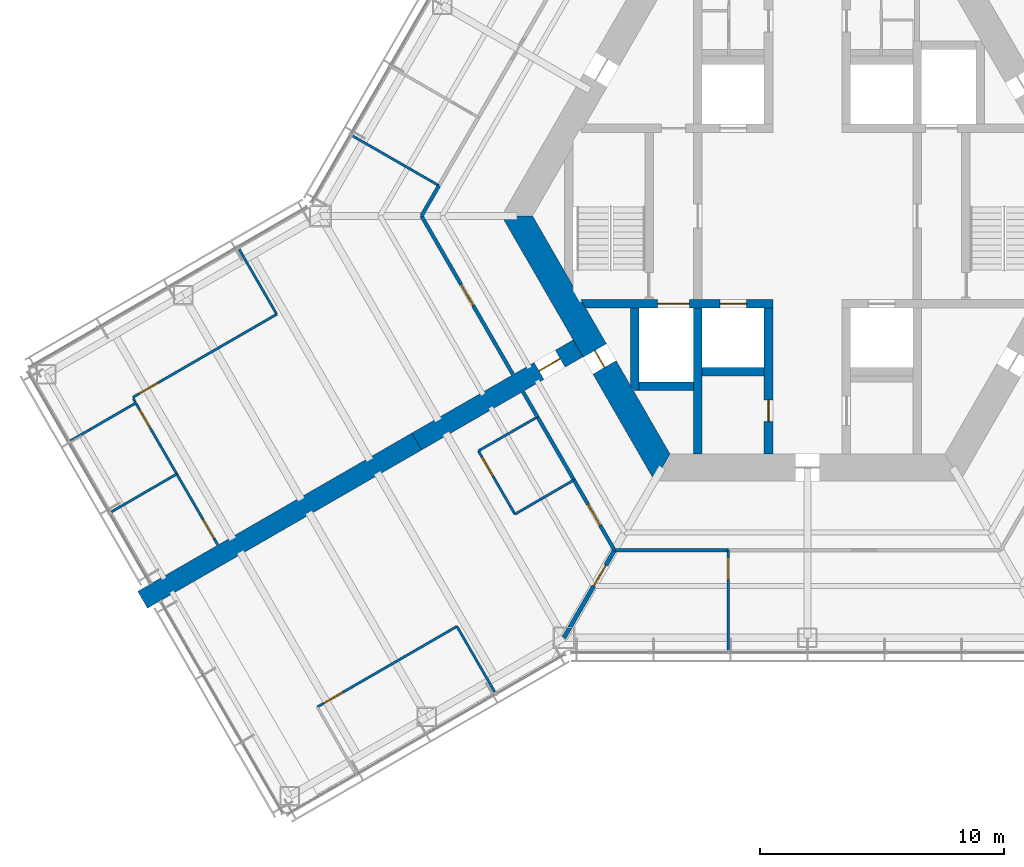
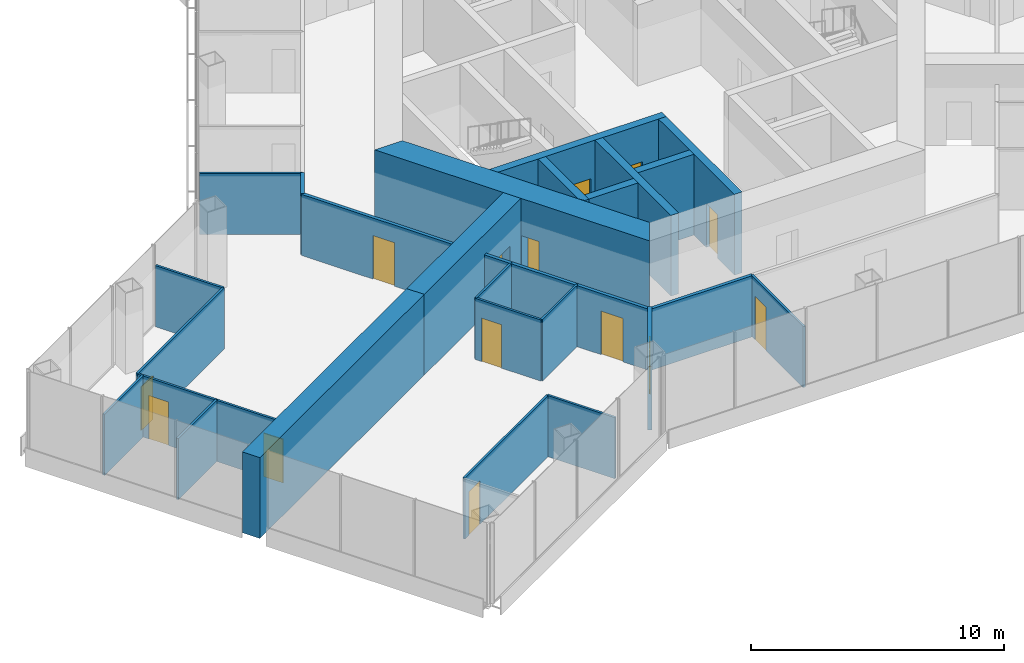
# One storey, part 12 of 19: 30 walls, 14 doors, 14 openings.
"""IFC4 building model written with IfcOpenShell, lengths in metres."""

from ifc_helpers import new_model, si_unit, direction, frame, frame_2d, origin, place, context, subcontext, project, spatial, polyline, rectangle, outline, extrude, material, layer, layer_set, type_object, element, fill, save


model = new_model("IFC4")

# Units and contexts
model_context = context("Model", 3, precision=1e-05, world=origin(), true_north=direction((0.0, 1.0)))
body_context = subcontext(model_context, "Body", "Model", "MODEL_VIEW")
ifc_project = project(units=[si_unit("LENGTHUNIT", "METRE"), si_unit("AREAUNIT", "SQUARE_METRE"), si_unit("VOLUMEUNIT", "CUBIC_METRE"), si_unit("PLANEANGLEUNIT", "RADIAN"), si_unit("MASSUNIT", "GRAM", prefix="KILO")], contexts=[model_context])

# Site, building, storey
site_placement = place(None, origin())
site = spatial("IfcSite", under=ifc_project, at=site_placement, CompositionType="ELEMENT")
building_placement = place(site_placement, origin())
building = spatial("IfcBuilding", under=site, at=building_placement, Name="Kasaneha Research Tower", CompositionType="ELEMENT")
storey_placement = place(building_placement, frame((0.0, 0.0, 96.300048828125)))
storey = spatial("IfcBuildingStorey", under=building, at=storey_placement, Name="L24", CompositionType="ELEMENT", Elevation=96.300048828125)

# Wall, openings, doors
ifc_material_1 = material(Name="Concrete Fc80", Category="concrete")
ifc_layer_1 = layer(ifc_material_1, 0.35009765625)
ifc_layer_set_1 = layer_set([ifc_layer_1], Name="Core internal wall 350 Fc80")
wall_type_1 = type_object("IfcWallType", Name="Core internal wall 350 Fc80", PredefinedType="SHEAR", material=ifc_layer_set_1)
wall_1_placement = place(storey_placement, frame((-9.208740234375, -3.60009765625, 0.0), z_axis=(0.0, 0.0, 1.0), x_axis=(1.0, 0.0, 0.0)))
wall_1 = element("IfcWall", 1, at=wall_1_placement, inside=storey, type_object=wall_type_1, Name="Core wall W2W L24", PredefinedType="SHEAR", context=body_context, shape_type="SweptSolid", body=[
    extrude(outline(polyline([(0.10107421875, -0.175048828125), (3.058837890625, -0.175048828125), (4.35888671875, -0.175048828125), (5.608642578125, -0.175048828125), (6.708740234375, -0.175048828125), (7.78369140625, -0.175048828125), (7.78369140625, 0.175048828125), (6.708740234375, 0.175048828125), (5.608642578125, 0.175048828125), (4.35888671875, 0.175048828125), (3.058837890625, 0.175048828125), (-0.10107421875, 0.175048828125), (0.10107421875, -0.175048828125)])), origin(), (0.0, 0.0, 1.0), 3.89990234375),
])
opening_1_placement = place(wall_1_placement, frame((5.608642578125, 0.0, 0.0)))
opening_1 = element("IfcOpeningElement", 2, at=opening_1_placement, cuts=wall_1, Name="Opening LD-LO2-L24", PredefinedType="OPENING", context=body_context, shape_type="SweptSolid", body=[
    extrude(rectangle(XDim=1.10009765625, YDim=2.10009765625, at=frame_2d((0.550048828125, 1.050048828125))), frame((0.0, 0.18505859375, 0.0), z_axis=(0.0, -1.0, 0.0), x_axis=(1.0, 0.0, 0.0)), (0.0, 0.0, 1.0), 0.3701171875),
])
opening_2_placement = place(wall_1_placement, frame((3.058837890625, 0.0, 0.0)))
opening_2 = element("IfcOpeningElement", 3, at=opening_2_placement, cuts=wall_1, Name="Opening LD-FL2-L24", PredefinedType="OPENING", context=body_context, shape_type="SweptSolid", body=[
    extrude(rectangle(XDim=1.300048828125, YDim=2.10009765625, at=frame_2d((0.64990234375, 1.050048828125))), frame((0.0, 0.18505859375, 0.0), z_axis=(0.0, -1.0, 0.0), x_axis=(1.0, 0.0, 0.0)), (0.0, 0.0, 1.0), 0.3701171875),
])
ifc_material_2 = material(Name="Steel", Category="steel")
door_type_1 = type_object("IfcDoorType", Name="Lift landing door 1100x2100", OperationType="DOUBLE_DOOR_SLIDING", PredefinedType="DOOR", material=ifc_material_2)
door_1_placement = place(opening_1_placement, origin())
door_1 = element("IfcDoor", 4, at=door_1_placement, inside=storey, type_object=door_type_1, Name="Landing door LO2 LD-LO2-L24", OperationType="DOUBLE_DOOR_SLIDING", OverallHeight=2.10009765625, OverallWidth=1.10009765625, PredefinedType="DOOR", context=body_context, shape_type="SweptSolid", body=[
    extrude(rectangle(XDim=1.10009765625, YDim=2.10009765625, at=frame_2d((0.550048828125, 1.050048828125))), frame((0.0, 0.02490234375, 0.0), z_axis=(0.0, -1.0, 0.0), x_axis=(1.0, 0.0, 0.0)), (0.0, 0.0, 1.0), 0.050048828125),
])
fill(opening_1, door_1)
ifc_material_3 = material(Name="Steel", Category="steel")
door_type_2 = type_object("IfcDoorType", Name="Lift landing door 1300x2100", OperationType="DOUBLE_DOOR_SLIDING", PredefinedType="DOOR", material=ifc_material_3)
door_2_placement = place(opening_2_placement, origin())
door_2 = element("IfcDoor", 5, at=door_2_placement, inside=storey, type_object=door_type_2, Name="Landing door FL2 LD-FL2-L24", OperationType="DOUBLE_DOOR_SLIDING", OverallHeight=2.10009765625, OverallWidth=1.300048828125, PredefinedType="DOOR", context=body_context, shape_type="SweptSolid", body=[
    extrude(rectangle(XDim=1.300048828125, YDim=2.10009765625, at=frame_2d((0.64990234375, 1.050048828125))), frame((0.0, 0.02490234375, 0.0), z_axis=(0.0, -1.0, 0.0), x_axis=(1.0, 0.0, 0.0)), (0.0, 0.0, 1.0), 0.050048828125),
])
fill(opening_2, door_2)

# Wall, opening, door
wall_2_placement = place(storey_placement, frame((-1.60009765625, -3.77490234375, 0.0), z_axis=(0.0, 0.0, 1.0), x_axis=(0.0, -1.0, 0.0)))
wall_2 = element("IfcWall", 6, at=wall_2_placement, inside=storey, type_object=wall_type_1, Name="Core wall CSW L24", PredefinedType="SHEAR", context=body_context, shape_type="SweptSolid", body=[
    extrude(rectangle(XDim=6.0, YDim=0.35009765625, at=frame_2d((3.0, 0.0))), origin(), (0.0, 0.0, 1.0), 3.89990234375),
])
opening_3_placement = place(wall_2_placement, frame((3.77490234375, 0.0, 0.0)))
opening_3 = element("IfcOpeningElement", 7, at=opening_3_placement, cuts=wall_2, Name="Opening L24-D16", PredefinedType="OPENING", context=body_context, shape_type="SweptSolid", body=[
    extrude(rectangle(XDim=0.89990234375, YDim=2.10009765625, at=frame_2d((0.449951171875, 1.050048828125))), frame((0.0, 0.18505859375, 0.0), z_axis=(0.0, -1.0, 0.0), x_axis=(1.0, 0.0, 0.0)), (0.0, 0.0, 1.0), 0.3701171875),
])
ifc_material_4 = material(Name="Steel", Category="steel")
door_type_3 = type_object("IfcDoorType", Name="Riser access door FD60 900x2100", OperationType="NOTDEFINED", PredefinedType="DOOR", material=ifc_material_4)
door_3_placement = place(opening_3_placement, origin())
door_3 = element("IfcDoor", 8, at=door_3_placement, inside=storey, type_object=door_type_3, Name="Electrical riser door L24-D16", OperationType="SINGLE_SWING_LEFT", OverallHeight=2.10009765625, OverallWidth=0.89990234375, PredefinedType="DOOR", context=body_context, shape_type="SweptSolid", body=[
    extrude(rectangle(XDim=0.89990234375, YDim=2.10009765625, at=frame_2d((0.449951171875, 1.050048828125))), frame((0.0, 0.02490234375, 0.0), z_axis=(0.0, -1.0, 0.0), x_axis=(1.0, 0.0, 0.0)), (0.0, 0.0, 1.0), 0.050048828125),
])
fill(opening_3, door_3)

# Walls
wall_3_placement = place(storey_placement, frame((-4.5, -3.77490234375, 0.0), z_axis=(0.0, 0.0, 1.0), x_axis=(0.0, -1.0, 0.0)))
element("IfcWall", 9, at=wall_3_placement, inside=storey, type_object=wall_type_1, Name="Core wall SSW L24", PredefinedType="SHEAR", context=body_context, shape_type="SweptSolid", body=[
    extrude(rectangle(XDim=6.0, YDim=0.35009765625, at=frame_2d((3.0, 0.0))), origin(), (0.0, 0.0, 1.0), 3.89990234375),
])
wall_4_placement = place(storey_placement, frame((-4.324951171875, -6.39990234375, 0.0), z_axis=(0.0, 0.0, 1.0), x_axis=(1.0, 0.0, 0.0)))
element("IfcWall", 10, at=wall_4_placement, inside=storey, type_object=wall_type_1, Name="Core wall S1S L24", PredefinedType="SHEAR", context=body_context, shape_type="SweptSolid", body=[
    extrude(rectangle(XDim=2.550048828125, YDim=0.35009765625, at=frame_2d((1.27490234375, 0.0))), origin(), (0.0, 0.0, 1.0), 3.89990234375),
])
wall_5_placement = place(storey_placement, frame((-6.925048828125, -7.0, 0.0), z_axis=(0.0, 0.0, 1.0), x_axis=(1.0, 0.0, 0.0)))
element("IfcWall", 11, at=wall_5_placement, inside=storey, type_object=wall_type_1, Name="Core wall F2S L24", PredefinedType="SHEAR", context=body_context, shape_type="SweptSolid", body=[
    extrude(rectangle(XDim=2.25, YDim=0.35009765625, at=frame_2d((1.125, 0.0))), origin(), (0.0, 0.0, 1.0), 3.89990234375),
])
wall_6_placement = place(storey_placement, frame((-7.10009765625, -3.77490234375, 0.0), z_axis=(0.0, 0.0, 1.0), x_axis=(0.0, -1.0, 0.0)))
element("IfcWall", 12, at=wall_6_placement, inside=storey, type_object=wall_type_1, Name="Core wall F2W L24", PredefinedType="SHEAR", context=body_context, shape_type="SweptSolid", body=[
    extrude(outline(polyline([(0.0, -0.175048828125), (3.174560546875, -0.175048828125), (3.400146484375, 0.0), (3.400146484375, 0.175048828125), (0.0, 0.175048828125), (0.0, -0.175048828125)])), origin(), (0.0, 0.0, 1.0), 3.89990234375),
])

# Wall, opening, door
ifc_material_5 = material(Name="Concrete Fc80", Category="concrete")
ifc_layer_2 = layer(ifc_material_5, 1.10009765625)
ifc_layer_set_2 = layer_set([ifc_layer_2], Name="Core wall 1100 Fc80")
wall_type_2 = type_object("IfcWallType", Name="Core wall 1100 Fc80", PredefinedType="SHEAR", material=ifc_layer_set_2)
wall_7_placement = place(storey_placement, frame((-11.92236328125, 0.0, 0.0), z_axis=(0.0, 0.0, 1.0), x_axis=(0.500004296715, -0.866022923061, 0.0)))
wall_7 = element("IfcWall", 13, at=wall_7_placement, inside=storey, type_object=wall_type_2, Name="Core wall 210 L24", PredefinedType="SHEAR", context=body_context, shape_type="SweptSolid", body=[
    extrude(outline(polyline([(-0.317626953125, -0.550048828125), (6.381103515625, -0.550048828125), (7.18115234375, -0.550048828125), (12.239990234375, -0.550048828125), (11.604736328125, 0.550048828125), (7.18115234375, 0.550048828125), (6.381103515625, 0.550048828125), (0.317626953125, 0.550048828125), (-0.317626953125, -0.550048828125)])), origin(), (0.0, 0.0, 1.0), 3.89990234375),
])
opening_4_placement = place(wall_7_placement, frame((6.381103515625, 0.0, 0.0)))
opening_4 = element("IfcOpeningElement", 14, at=opening_4_placement, cuts=wall_7, Name="Opening L24-D06", PredefinedType="OPENING", context=body_context, shape_type="SweptSolid", body=[
    extrude(rectangle(XDim=0.800048828125, YDim=2.10009765625, at=frame_2d((0.39990234375, 1.050048828125))), frame((0.0, 0.56005859375, 0.0), z_axis=(0.0, -1.0, 0.0), x_axis=(1.0, 0.0, 0.0)), (0.0, 0.0, 1.0), 1.1201171875),
])
ifc_material_6 = material(Name="Steel", Category="steel")
door_type_4 = type_object("IfcDoorType", Name="Riser access door FD60 800x2100", OperationType="NOTDEFINED", PredefinedType="DOOR", material=ifc_material_6)
door_4_placement = place(opening_4_placement, origin())
door_4 = element("IfcDoor", 15, at=door_4_placement, inside=storey, type_object=door_type_4, Name="Duct riser door L24-D06", OperationType="SINGLE_SWING_RIGHT", OverallHeight=2.10009765625, OverallWidth=0.800048828125, PredefinedType="DOOR", context=body_context, shape_type="SweptSolid", body=[
    extrude(rectangle(XDim=0.800048828125, YDim=2.10009765625, at=frame_2d((0.39990234375, 1.050048828125))), frame((0.0, 0.02490234375, 0.0), z_axis=(0.0, -1.0, 0.0), x_axis=(1.0, 0.0, 0.0)), (0.0, 0.0, 1.0), 0.050048828125),
])
fill(opening_4, door_4)

# Walls
ifc_material_7 = material(Name="Gypsum board on steel studs, one layer each side", Category="steel")
ifc_layer_3 = layer(ifc_material_7, 0.10009765625)
ifc_layer_set_3 = layer_set([ifc_layer_3], Name="Office partition 100")
wall_type_3 = type_object("IfcWallType", Name="Office partition 100", PredefinedType="PARTITIONING", material=ifc_layer_set_3)
wall_8_placement = place(storey_placement, frame((-27.5751953125, -7.677978515625, 0.0), z_axis=(0.0, 0.0, 1.0), x_axis=(-0.86525732426, -0.501327999232, 0.0)))
element("IfcWall", 16, at=wall_8_placement, inside=storey, type_object=wall_type_3, Name="Office partition FBN07 L24", PredefinedType="PARTITIONING", context=body_context, shape_type="SweptSolid", body=[
    extrude(rectangle(XDim=3.1005859375, YDim=0.10009765625, at=frame_2d((1.55029296875, 0.0))), origin(), (0.0, 0.0, 1.0), 2.949951171875),
])
wall_9_placement = place(storey_placement, frame((-23.332275390625, -1.36962890625, 0.0), z_axis=(0.0, 0.0, 1.0), x_axis=(0.499992328818, -0.866029832698, 0.0)))
element("IfcWall", 17, at=wall_9_placement, inside=storey, type_object=wall_type_3, Name="Office partition FBN08 L24", PredefinedType="PARTITIONING", context=body_context, shape_type="SweptSolid", body=[
    extrude(rectangle(XDim=3.080078125, YDim=0.10009765625, at=frame_2d((1.5400390625, 0.0))), origin(), (0.0, 0.0, 1.0), 2.949951171875),
])

# Wall, opening, door
wall_10_placement = place(storey_placement, frame((-21.792236328125, -4.037109375, 0.0), z_axis=(0.0, 0.0, 1.0), x_axis=(-0.865970027115, -0.500095902942, 0.0)))
wall_10 = element("IfcWall", 18, at=wall_10_placement, inside=storey, type_object=wall_type_3, Name="Office partition FBN09 L24", PredefinedType="PARTITIONING", context=body_context, shape_type="SweptSolid", body=[
    extrude(rectangle(XDim=6.828369140625, YDim=0.10009765625, at=frame_2d((3.4140625, 0.0))), origin(), (0.0, 0.0, 1.0), 2.949951171875),
])
opening_5_placement = place(wall_10_placement, frame((5.62841796875, 0.0, 0.0)))
opening_5 = element("IfcOpeningElement", 19, at=opening_5_placement, cuts=wall_10, Name="Opening L24-D42", PredefinedType="OPENING", context=body_context, shape_type="SweptSolid", body=[
    extrude(rectangle(XDim=0.89990234375, YDim=2.10009765625, at=frame_2d((0.449951171875, 1.050048828125))), frame((0.0, 0.06005859375, 0.0), z_axis=(0.0, -1.0, 0.0), x_axis=(1.0, 0.0, 0.0)), (0.0, 0.0, 1.0), 0.1201171875),
])
ifc_material_8 = material(Name="Timber veneer", Category="wood")
door_type_5 = type_object("IfcDoorType", Name="Office door 900x2100", OperationType="SINGLE_SWING_LEFT", PredefinedType="DOOR", material=ifc_material_8)
door_5_placement = place(opening_5_placement, origin())
door_5 = element("IfcDoor", 20, at=door_5_placement, inside=storey, type_object=door_type_5, Name="Manager's office door L24-D42", OperationType="SINGLE_SWING_RIGHT", OverallHeight=2.10009765625, OverallWidth=0.89990234375, PredefinedType="DOOR", context=body_context, shape_type="SweptSolid", body=[
    extrude(rectangle(XDim=0.89990234375, YDim=2.10009765625, at=frame_2d((0.449951171875, 1.050048828125))), frame((0.0, 0.02490234375, 0.0), z_axis=(0.0, -1.0, 0.0), x_axis=(1.0, 0.0, 0.0)), (0.0, 0.0, 1.0), 0.050048828125),
])
fill(opening_5, door_5)

# Walls
wall_11_placement = place(storey_placement, frame((-15.13037109375, 1.243408203125, 0.0), z_axis=(0.0, 0.0, 1.0), x_axis=(-0.866568290476, 0.499058511541, 0.0)))
element("IfcWall", 21, at=wall_11_placement, inside=storey, type_object=wall_type_3, Name="Office partition FBN10 L24", PredefinedType="PARTITIONING", context=body_context, shape_type="SweptSolid", body=[
    extrude(rectangle(XDim=4.075439453125, YDim=0.10009765625, at=frame_2d((2.03759765625, 0.0))), origin(), (0.0, 0.0, 1.0), 2.949951171875),
])
wall_12_placement = place(storey_placement, frame((-25.892578125, -10.593994140625, 0.0), z_axis=(0.0, 0.0, 1.0), x_axis=(-0.865232104039, -0.50137152506, 0.0)))
element("IfcWall", 22, at=wall_12_placement, inside=storey, type_object=wall_type_3, Name="Office partition FBN12 L24", PredefinedType="PARTITIONING", context=body_context, shape_type="SweptSolid", body=[
    extrude(rectangle(XDim=3.099853515625, YDim=0.10009765625, at=frame_2d((1.5498046875, 0.0))), origin(), (0.0, 0.0, 1.0), 2.949951171875),
])

# Wall, opening, door
wall_13_placement = place(storey_placement, frame((-27.576904296875, -7.6845703125, 0.0), z_axis=(0.0, 0.0, 1.0), x_axis=(0.499929606556, -0.866066041644, 0.0)))
wall_13 = element("IfcWall", 23, at=wall_13_placement, inside=storey, type_object=wall_type_3, Name="Office partition FBN13 L24", PredefinedType="PARTITIONING", context=body_context, shape_type="SweptSolid", body=[
    extrude(rectangle(XDim=3.36669921875, YDim=0.10009765625, at=frame_2d((1.683349609375, 0.0))), origin(), (0.0, 0.0, 1.0), 2.949951171875),
])
opening_6_placement = place(wall_13_placement, frame((0.300048828125, 0.0, 0.0)))
opening_6 = element("IfcOpeningElement", 24, at=opening_6_placement, cuts=wall_13, Name="Opening L24-D44", PredefinedType="OPENING", context=body_context, shape_type="SweptSolid", body=[
    extrude(rectangle(XDim=0.89990234375, YDim=2.10009765625, at=frame_2d((0.449951171875, 1.050048828125))), frame((0.0, 0.06005859375, 0.0), z_axis=(0.0, -1.0, 0.0), x_axis=(1.0, 0.0, 0.0)), (0.0, 0.0, 1.0), 0.1201171875),
])
door_6_placement = place(opening_6_placement, origin())
door_6 = element("IfcDoor", 25, at=door_6_placement, inside=storey, type_object=door_type_5, Name="Manager's office door L24-D44", OperationType="SINGLE_SWING_LEFT", OverallHeight=2.10009765625, OverallWidth=0.89990234375, PredefinedType="DOOR", context=body_context, shape_type="SweptSolid", body=[
    extrude(rectangle(XDim=0.89990234375, YDim=2.10009765625, at=frame_2d((0.449951171875, 1.050048828125))), frame((0.0, 0.02490234375, 0.0), z_axis=(0.0, -1.0, 0.0), x_axis=(1.0, 0.0, 0.0)), (0.0, 0.0, 1.0), 0.050048828125),
])
fill(opening_6, door_6)

wall_14_placement = place(storey_placement, frame((-25.893798828125, -10.600341796875, 0.0), z_axis=(0.0, 0.0, 1.0), x_axis=(0.501088030279, -0.865396317251, 0.0)))
wall_14 = element("IfcWall", 26, at=wall_14_placement, inside=storey, type_object=wall_type_3, Name="Office partition FBN14 L24", PredefinedType="PARTITIONING", context=body_context, shape_type="SweptSolid", body=[
    extrude(rectangle(XDim=3.3466796875, YDim=0.10009765625, at=frame_2d((1.67333984375, 0.0))), origin(), (0.0, 0.0, 1.0), 2.949951171875),
])
opening_7_placement = place(wall_14_placement, frame((2.146728515625, 0.0, 0.0)))
opening_7 = element("IfcOpeningElement", 27, at=opening_7_placement, cuts=wall_14, Name="Opening L24-D45", PredefinedType="OPENING", context=body_context, shape_type="SweptSolid", body=[
    extrude(rectangle(XDim=0.89990234375, YDim=2.10009765625, at=frame_2d((0.449951171875, 1.050048828125))), frame((0.0, 0.06005859375, 0.0), z_axis=(0.0, -1.0, 0.0), x_axis=(1.0, 0.0, 0.0)), (0.0, 0.0, 1.0), 0.1201171875),
])
door_7_placement = place(opening_7_placement, origin())
door_7 = element("IfcDoor", 28, at=door_7_placement, inside=storey, type_object=door_type_5, Name="Manager's office door L24-D45", OperationType="SINGLE_SWING_RIGHT", OverallHeight=2.10009765625, OverallWidth=0.89990234375, PredefinedType="DOOR", context=body_context, shape_type="SweptSolid", body=[
    extrude(rectangle(XDim=0.89990234375, YDim=2.10009765625, at=frame_2d((0.449951171875, 1.050048828125))), frame((0.0, 0.02490234375, 0.0), z_axis=(0.0, -1.0, 0.0), x_axis=(1.0, 0.0, 0.0)), (0.0, 0.0, 1.0), 0.050048828125),
])
fill(opening_7, door_7)

# Wall
wall_15_placement = place(storey_placement, frame((-13.510986328125, -9.648193359375, 0.0), z_axis=(0.0, 0.0, 1.0), x_axis=(0.86679607088, 0.498662783358, 0.0)))
element("IfcWall", 29, at=wall_15_placement, inside=storey, type_object=wall_type_3, Name="Office partition FBS04 L24", PredefinedType="PARTITIONING", context=body_context, shape_type="SweptSolid", body=[
    extrude(rectangle(XDim=2.800048828125, YDim=0.10009765625, at=frame_2d((1.39990234375, 0.0))), origin(), (0.0, 0.0, 1.0), 2.949951171875),
])

# Wall, opening, door
wall_16_placement = place(storey_placement, frame((-12.010986328125, -12.24609375, 0.0), z_axis=(0.0, 0.0, 1.0), x_axis=(-0.50002537861, 0.866010750942, 0.0)))
wall_16 = element("IfcWall", 30, at=wall_16_placement, inside=storey, type_object=wall_type_3, Name="Office partition FBS05 L24", PredefinedType="PARTITIONING", context=body_context, shape_type="SweptSolid", body=[
    extrude(rectangle(XDim=2.999755859375, YDim=0.10009765625, at=frame_2d((1.5, 0.0))), origin(), (0.0, 0.0, 1.0), 2.949951171875),
])
opening_8_placement = place(wall_16_placement, frame((1.800048828125, 0.0, 0.0)))
opening_8 = element("IfcOpeningElement", 31, at=opening_8_placement, cuts=wall_16, Name="Opening L24-D48", PredefinedType="OPENING", context=body_context, shape_type="SweptSolid", body=[
    extrude(rectangle(XDim=0.89990234375, YDim=2.10009765625, at=frame_2d((0.449951171875, 1.050048828125))), frame((0.0, 0.06005859375, 0.0), z_axis=(0.0, -1.0, 0.0), x_axis=(1.0, 0.0, 0.0)), (0.0, 0.0, 1.0), 0.1201171875),
])
door_8_placement = place(opening_8_placement, origin())
door_8 = element("IfcDoor", 32, at=door_8_placement, inside=storey, type_object=door_type_5, Name="Pantry door L24-D48", OperationType="SINGLE_SWING_RIGHT", OverallHeight=2.10009765625, OverallWidth=0.89990234375, PredefinedType="DOOR", context=body_context, shape_type="SweptSolid", body=[
    extrude(rectangle(XDim=0.89990234375, YDim=2.10009765625, at=frame_2d((0.449951171875, 1.050048828125))), frame((0.0, 0.02490234375, 0.0), z_axis=(0.0, -1.0, 0.0), x_axis=(1.0, 0.0, 0.0)), (0.0, 0.0, 1.0), 0.050048828125),
])
fill(opening_8, door_8)

# Wall
wall_17_placement = place(storey_placement, frame((-9.58837890625, -10.84228515625, 0.0), z_axis=(0.0, 0.0, 1.0), x_axis=(-0.865233198925, -0.501369635576, 0.0)))
element("IfcWall", 33, at=wall_17_placement, inside=storey, type_object=wall_type_3, Name="Office partition FBS06 L24", PredefinedType="PARTITIONING", context=body_context, shape_type="SweptSolid", body=[
    extrude(rectangle(XDim=2.800048828125, YDim=0.10009765625, at=frame_2d((1.39990234375, 0.0))), origin(), (0.0, 0.0, 1.0), 2.949951171875),
])

# Wall, opening, door
wall_18_placement = place(storey_placement, frame((-20.125, -20.163818359375, 0.0), z_axis=(0.0, 0.0, 1.0), x_axis=(0.866030817826, 0.499990622488, 0.0)))
wall_18 = element("IfcWall", 34, at=wall_18_placement, inside=storey, type_object=wall_type_3, Name="Office partition FBS07 L24", PredefinedType="PARTITIONING", context=body_context, shape_type="SweptSolid", body=[
    extrude(rectangle(XDim=6.619873046875, YDim=0.10009765625, at=frame_2d((3.31005859375, 0.0))), origin(), (0.0, 0.0, 1.0), 2.949951171875),
])
opening_9_placement = place(wall_18_placement, frame((0.300048828125, 0.0, 0.0)))
opening_9 = element("IfcOpeningElement", 35, at=opening_9_placement, cuts=wall_18, Name="Opening L24-D49", PredefinedType="OPENING", context=body_context, shape_type="SweptSolid", body=[
    extrude(rectangle(XDim=0.89990234375, YDim=2.10009765625, at=frame_2d((0.449951171875, 1.050048828125))), frame((0.0, 0.06005859375, 0.0), z_axis=(0.0, -1.0, 0.0), x_axis=(1.0, 0.0, 0.0)), (0.0, 0.0, 1.0), 0.1201171875),
])
door_9_placement = place(opening_9_placement, origin())
door_9 = element("IfcDoor", 36, at=door_9_placement, inside=storey, type_object=door_type_5, Name="Manager's office door L24-D49", OperationType="SINGLE_SWING_LEFT", OverallHeight=2.10009765625, OverallWidth=0.89990234375, PredefinedType="DOOR", context=body_context, shape_type="SweptSolid", body=[
    extrude(rectangle(XDim=0.89990234375, YDim=2.10009765625, at=frame_2d((0.449951171875, 1.050048828125))), frame((0.0, 0.02490234375, 0.0), z_axis=(0.0, -1.0, 0.0), x_axis=(1.0, 0.0, 0.0)), (0.0, 0.0, 1.0), 0.050048828125),
])
fill(opening_9, door_9)

# Wall
wall_19_placement = place(storey_placement, frame((-14.39208984375, -16.85400390625, 0.0), z_axis=(0.0, 0.0, 1.0), x_axis=(0.499933790963, -0.866063626216, 0.0)))
element("IfcWall", 37, at=wall_19_placement, inside=storey, type_object=wall_type_3, Name="Office partition FBS09 L24", PredefinedType="PARTITIONING", context=body_context, shape_type="SweptSolid", body=[
    extrude(rectangle(XDim=3.10009765625, YDim=0.10009765625, at=frame_2d((1.550048828125, 0.0))), origin(), (0.0, 0.0, 1.0), 2.949951171875),
])

# Wall, opening, door
wall_20_placement = place(storey_placement, frame((-3.2509765625, -13.72509765625, 0.0), z_axis=(0.0, 0.0, 1.0), x_axis=(0.001125791785, -0.999999366296, 0.0)))
wall_20 = element("IfcWall", 38, at=wall_20_placement, inside=storey, type_object=wall_type_3, Name="Office partition FCS12 L24", PredefinedType="PARTITIONING", context=body_context, shape_type="SweptSolid", body=[
    extrude(rectangle(XDim=4.120361328125, YDim=0.10009765625, at=frame_2d((2.06005859375, 0.0))), origin(), (0.0, 0.0, 1.0), 2.949951171875),
])
opening_10_placement = place(wall_20_placement, frame((0.300048828125, 0.0, 0.0)))
opening_10 = element("IfcOpeningElement", 39, at=opening_10_placement, cuts=wall_20, Name="Opening L24-D56", PredefinedType="OPENING", context=body_context, shape_type="SweptSolid", body=[
    extrude(rectangle(XDim=0.89990234375, YDim=2.10009765625, at=frame_2d((0.449951171875, 1.050048828125))), frame((0.0, 0.06005859375, 0.0), z_axis=(0.0, -1.0, 0.0), x_axis=(1.0, 0.0, 0.0)), (0.0, 0.0, 1.0), 0.1201171875),
])
door_10_placement = place(opening_10_placement, origin())
door_10 = element("IfcDoor", 40, at=door_10_placement, inside=storey, type_object=door_type_5, Name="Meeting room door L24-D56", OperationType="SINGLE_SWING_LEFT", OverallHeight=2.10009765625, OverallWidth=0.89990234375, PredefinedType="DOOR", context=body_context, shape_type="SweptSolid", body=[
    extrude(rectangle(XDim=0.89990234375, YDim=2.10009765625, at=frame_2d((0.449951171875, 1.050048828125))), frame((0.0, 0.02490234375, 0.0), z_axis=(0.0, -1.0, 0.0), x_axis=(1.0, 0.0, 0.0)), (0.0, 0.0, 1.0), 0.050048828125),
])
fill(opening_10, door_10)

# Wall
wall_21_placement = place(storey_placement, frame((-27.680419921875, -7.495361328125, 0.0), z_axis=(0.0, 0.0, 1.0), x_axis=(0.498100166939, -0.867119497933, 0.0)))
element("IfcWall", 41, at=wall_21_placement, inside=storey, type_object=wall_type_3, Name="Office partition closer PT5 L24", PredefinedType="PARTITIONING", context=body_context, shape_type="SweptSolid", body=[
    extrude(rectangle(XDim=0.160888671875, YDim=0.10009765625, at=frame_2d((0.08056640625, 0.0))), origin(), (0.0, 0.0, 1.0), 2.949951171875),
])

# Wall, opening, door
ifc_material_9 = material(Name="Concrete Fc80", Category="concrete")
ifc_layer_4 = layer(ifc_material_9, 0.800048828125)
ifc_layer_set_4 = layer_set([ifc_layer_4], Name="Spine wall 800 Fc80")
wall_type_4 = type_object("IfcWallType", Name="Spine wall 800 Fc80", PredefinedType="SHEAR", material=ifc_layer_set_4)
wall_22_placement = place(storey_placement, frame((-9.41796875, -5.4375, 0.0), z_axis=(0.0, 0.0, 1.0), x_axis=(-0.866029782078, -0.499992416496, 0.0)))
wall_22 = element("IfcWall", 42, at=wall_22_placement, inside=storey, type_object=wall_type_4, Name="Spine wall B L24", PredefinedType="SHEAR", context=body_context, shape_type="SweptSolid", body=[
    extrude(rectangle(XDim=7.6455078125, YDim=0.800048828125, at=frame_2d((3.82275390625, 0.0))), origin(), (0.0, 0.0, 1.0), 3.89990234375),
])
opening_11_placement = place(wall_22_placement, frame((0.85009765625, 0.0, 0.0)))
opening_11 = element("IfcOpeningElement", 43, at=opening_11_placement, cuts=wall_22, Name="Opening L24-D18", PredefinedType="OPENING", context=body_context, shape_type="SweptSolid", body=[
    extrude(rectangle(XDim=1.0, YDim=2.10009765625, at=frame_2d((0.5, 1.050048828125))), frame((0.0, 0.41015625, 0.0), z_axis=(0.0, -1.0, 0.0), x_axis=(1.0, 0.0, 0.0)), (0.0, 0.0, 1.0), 0.820068359375),
])
ifc_material_10 = material(Name="Steel", Category="steel")
door_type_6 = type_object("IfcDoorType", Name="Specified fire door FD60 1000x2100", OperationType="NOTDEFINED", PredefinedType="DOOR", material=ifc_material_10)
door_11_placement = place(opening_11_placement, origin())
door_11 = element("IfcDoor", 44, at=door_11_placement, inside=storey, type_object=door_type_6, Name="Spine doorway B L24-D18", OperationType="SINGLE_SWING_LEFT", OverallHeight=2.10009765625, OverallWidth=1.0, PredefinedType="DOOR", context=body_context, shape_type="SweptSolid", body=[
    extrude(rectangle(XDim=1.0, YDim=2.10009765625, at=frame_2d((0.5, 1.050048828125))), frame((0.0, 0.02490234375, 0.0), z_axis=(0.0, -1.0, 0.0), x_axis=(1.0, 0.0, 0.0)), (0.0, 0.0, 1.0), 0.050048828125),
])
fill(opening_11, door_11)

# Walls
wall_23_placement = place(storey_placement, frame((-16.039306640625, -9.26025390625, 0.0), z_axis=(0.0, 0.0, 1.0), x_axis=(-0.866024837091, -0.50000098154, 0.0)))
element("IfcWall", 45, at=wall_23_placement, inside=storey, type_object=wall_type_4, Name="Spine wall B wing L24", PredefinedType="SHEAR", context=body_context, shape_type="SweptSolid", body=[
    extrude(rectangle(XDim=13.0, YDim=0.800048828125, at=frame_2d((6.5, 0.0))), origin(), (0.0, 0.0, 1.0), 3.89990234375),
])
ifc_material_11 = material(Name="Gypsum board on steel studs, two layers each side", Category="steel")
ifc_layer_5 = layer(ifc_material_11, 0.14990234375)
ifc_layer_set_5 = layer_set([ifc_layer_5], Name="Suite partition 150")
wall_type_5 = type_object("IfcWallType", Name="Suite partition 150", PredefinedType="PARTITIONING", material=ifc_layer_set_5)
wall_24_placement = place(storey_placement, frame((-15.848388671875, 0.0, 0.0), z_axis=(0.0, 0.0, 1.0), x_axis=(0.500070785171, 0.86598453209, 0.0)))
element("IfcWall", 46, at=wall_24_placement, inside=storey, type_object=wall_type_5, Name="Suite partition FBN04 L24", PredefinedType="PARTITIONING", context=body_context, shape_type="SweptSolid", body=[
    extrude(rectangle(XDim=1.435791015625, YDim=0.14990234375, at=frame_2d((0.7177734375, 0.0))), origin(), (0.0, 0.0, 1.0), 2.949951171875),
])

# Wall, opening, door
wall_25_placement = place(storey_placement, frame((-12.09619140625, -6.498779296875, 0.0), z_axis=(0.0, 0.0, 1.0), x_axis=(-0.500012521841, 0.866018174175, 0.0)))
wall_25 = element("IfcWall", 47, at=wall_25_placement, inside=storey, type_object=wall_type_5, Name="Suite partition FBN05 L24", PredefinedType="PARTITIONING", context=body_context, shape_type="SweptSolid", body=[
    extrude(rectangle(XDim=7.504150390625, YDim=0.14990234375, at=frame_2d((3.751953125, 0.0))), origin(), (0.0, 0.0, 1.0), 2.949951171875),
])
opening_12_placement = place(wall_25_placement, frame((3.252197265625, 0.0, 0.0)))
opening_12 = element("IfcOpeningElement", 48, at=opening_12_placement, cuts=wall_25, Name="Opening L24-D40", PredefinedType="OPENING", context=body_context, shape_type="SweptSolid", body=[
    extrude(rectangle(XDim=1.0, YDim=2.10009765625, at=frame_2d((0.5, 1.050048828125))), frame((0.0, 0.0849609375, 0.0), z_axis=(0.0, -1.0, 0.0), x_axis=(1.0, 0.0, 0.0)), (0.0, 0.0, 1.0), 0.169921875),
])
ifc_material_12 = material(Name="Steel", Category="steel")
door_type_7 = type_object("IfcDoorType", Name="Suite entrance door FD60 1000x2100", OperationType="NOTDEFINED", PredefinedType="DOOR", material=ifc_material_12)
door_12_placement = place(opening_12_placement, origin())
door_12 = element("IfcDoor", 49, at=door_12_placement, inside=storey, type_object=door_type_7, Name="Suite entrance door L24-D40", OperationType="SINGLE_SWING_RIGHT", OverallHeight=2.10009765625, OverallWidth=1.0, PredefinedType="DOOR", context=body_context, shape_type="SweptSolid", body=[
    extrude(rectangle(XDim=1.0, YDim=2.10009765625, at=frame_2d((0.5, 1.050048828125))), frame((0.0, 0.02490234375, 0.0), z_axis=(0.0, -1.0, 0.0), x_axis=(1.0, 0.0, 0.0)), (0.0, 0.0, 1.0), 0.050048828125),
])
fill(opening_12, door_12)

# Walls
wall_26_placement = place(storey_placement, frame((-9.583740234375, -10.8505859375, 0.0), z_axis=(0.0, 0.0, 1.0), x_axis=(-0.499977562641, 0.866038357612, 0.0)))
element("IfcWall", 50, at=wall_26_placement, inside=storey, type_object=wall_type_5, Name="Suite partition FBS01 L24", PredefinedType="PARTITIONING", context=body_context, shape_type="SweptSolid", body=[
    extrude(rectangle(XDim=3.010009765625, YDim=0.14990234375, at=frame_2d((1.5048828125, 0.0))), origin(), (0.0, 0.0, 1.0), 2.949951171875),
])
wall_27_placement = place(storey_placement, frame((-11.083984375, -8.251953125, 0.0), z_axis=(0.0, 0.0, 1.0), x_axis=(-0.500085263423, 0.865976171327, 0.0)))
element("IfcWall", 51, at=wall_27_placement, inside=storey, type_object=wall_type_5, Name="Suite partition FBS02 L24", PredefinedType="PARTITIONING", context=body_context, shape_type="SweptSolid", body=[
    extrude(rectangle(XDim=1.184326171875, YDim=0.14990234375, at=frame_2d((0.59228515625, 0.0))), origin(), (0.0, 0.0, 1.0), 2.949951171875),
])

# Wall, opening, door
wall_28_placement = place(storey_placement, frame((-7.935791015625, -13.705078125, 0.0), z_axis=(0.0, 0.0, 1.0), x_axis=(-0.499944092787, 0.866057679423, 0.0)))
wall_28 = element("IfcWall", 52, at=wall_28_placement, inside=storey, type_object=wall_type_5, Name="Suite partition FBS03 L24", PredefinedType="PARTITIONING", context=body_context, shape_type="SweptSolid", body=[
    extrude(rectangle(XDim=3.3056640625, YDim=0.14990234375, at=frame_2d((1.65283203125, 0.0))), origin(), (0.0, 0.0, 1.0), 2.949951171875),
])
opening_13_placement = place(wall_28_placement, frame((1.15283203125, 0.0, 0.0)))
opening_13 = element("IfcOpeningElement", 53, at=opening_13_placement, cuts=wall_28, Name="Opening L24-D47", PredefinedType="OPENING", context=body_context, shape_type="SweptSolid", body=[
    extrude(rectangle(XDim=1.0, YDim=2.10009765625, at=frame_2d((0.5, 1.050048828125))), frame((0.0, 0.0849609375, 0.0), z_axis=(0.0, -1.0, 0.0), x_axis=(1.0, 0.0, 0.0)), (0.0, 0.0, 1.0), 0.169921875),
])
door_13_placement = place(opening_13_placement, origin())
door_13 = element("IfcDoor", 54, at=door_13_placement, inside=storey, type_object=door_type_7, Name="Suite entrance door L24-D47", OperationType="SINGLE_SWING_RIGHT", OverallHeight=2.10009765625, OverallWidth=1.0, PredefinedType="DOOR", context=body_context, shape_type="SweptSolid", body=[
    extrude(rectangle(XDim=1.0, YDim=2.10009765625, at=frame_2d((0.5, 1.050048828125))), frame((0.0, 0.02490234375, 0.0), z_axis=(0.0, -1.0, 0.0), x_axis=(1.0, 0.0, 0.0)), (0.0, 0.0, 1.0), 0.050048828125),
])
fill(opening_13, door_13)

# Wall
wall_29_placement = place(storey_placement, frame((-3.241455078125, -13.72509765625, 0.0), z_axis=(0.0, 0.0, 1.0), x_axis=(-1.0, 0.0, 0.0)))
element("IfcWall", 55, at=wall_29_placement, inside=storey, type_object=wall_type_5, Name="Suite partition FCS02 L24", PredefinedType="PARTITIONING", context=body_context, shape_type="SweptSolid", body=[
    extrude(rectangle(XDim=4.659423828125, YDim=0.14990234375, at=frame_2d((2.32958984375, 0.0))), origin(), (0.0, 0.0, 1.0), 2.949951171875),
])

# Wall, opening, door
ifc_material_13 = material(Name="Gypsum board on steel studs, two layers each side", Category="steel")
ifc_layer_6 = layer(ifc_material_13, 0.175048828125)
ifc_layer_set_6 = layer_set([ifc_layer_6], Name="Tenancy fire partition 175")
wall_type_6 = type_object("IfcWallType", Name="Tenancy fire partition 175", PredefinedType="PARTITIONING", material=ifc_layer_set_6)
wall_30_placement = place(storey_placement, frame((-7.924072265625, -13.72509765625, 0.0), z_axis=(0.0, 0.0, 1.0), x_axis=(-0.500015991208, -0.866016171059, 0.0)))
wall_30 = element("IfcWall", 56, at=wall_30_placement, inside=storey, type_object=wall_type_6, Name="Tenancy fire partition T240 L24", PredefinedType="PARTITIONING", context=body_context, shape_type="SweptSolid", body=[
    extrude(rectangle(XDim=4.151611328125, YDim=0.175048828125, at=frame_2d((2.07568359375, 0.0))), origin(), (0.0, 0.0, 1.0), 3.050048828125),
])
opening_14_placement = place(wall_30_placement, frame((0.699951171875, 0.0, 0.0)))
opening_14 = element("IfcOpeningElement", 57, at=opening_14_placement, cuts=wall_30, Name="Opening L24-D26", PredefinedType="OPENING", context=body_context, shape_type="SweptSolid", body=[
    extrude(rectangle(XDim=1.0, YDim=2.10009765625, at=frame_2d((0.5, 1.050048828125))), frame((0.0, 0.09765625, 0.0), z_axis=(0.0, -1.0, 0.0), x_axis=(1.0, 0.0, 0.0)), (0.0, 0.0, 1.0), 0.195068359375),
])
door_14_placement = place(opening_14_placement, origin())
door_14 = element("IfcDoor", 58, at=door_14_placement, inside=storey, type_object=door_type_7, Name="Connecting door L24-D26", OperationType="SINGLE_SWING_LEFT", OverallHeight=2.10009765625, OverallWidth=1.0, PredefinedType="DOOR", context=body_context, shape_type="SweptSolid", body=[
    extrude(rectangle(XDim=1.0, YDim=2.10009765625, at=frame_2d((0.5, 1.050048828125))), frame((0.0, 0.02490234375, 0.0), z_axis=(0.0, -1.0, 0.0), x_axis=(1.0, 0.0, 0.0)), (0.0, 0.0, 1.0), 0.050048828125),
])
fill(opening_14, door_14)

save(model, "model.ifc")
